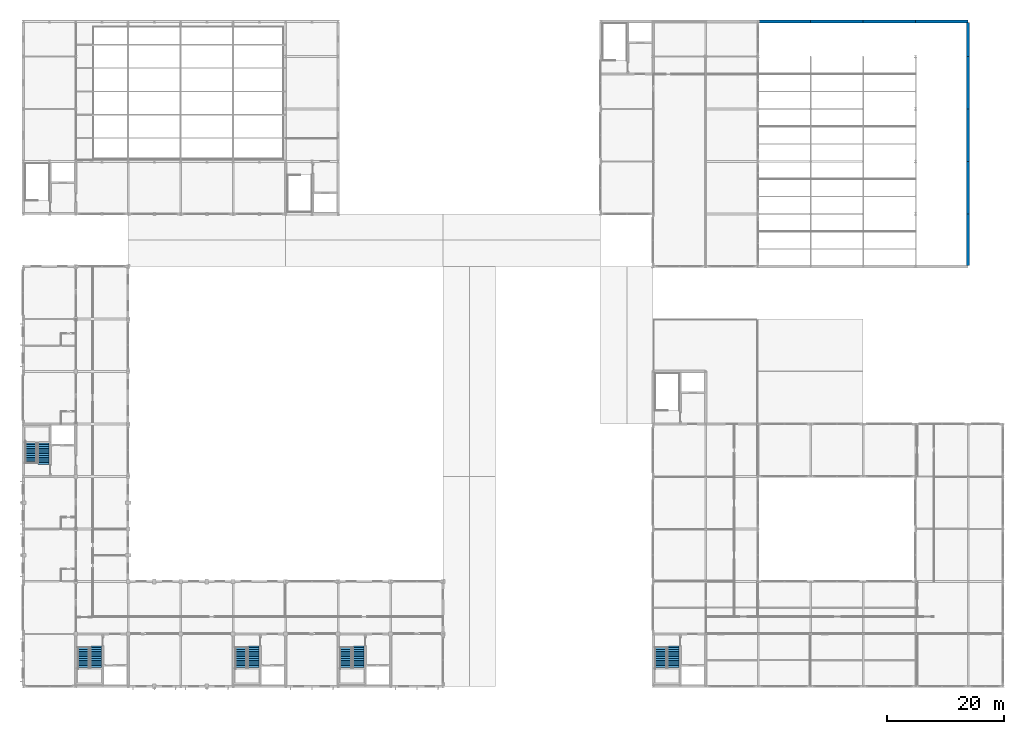
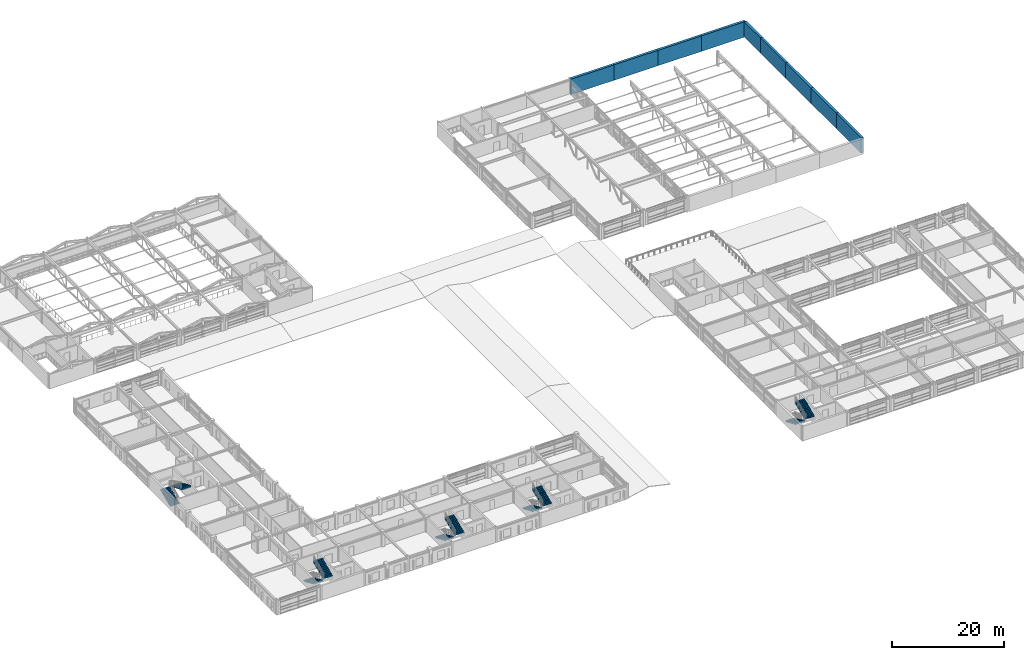
# One storey, part 80 of 91: 10 stair flights, 9 walls, 5 elements without a shape of their own.
"""IFC4 building model written with IfcOpenShell, lengths in metres."""

from ifc_helpers import new_model, si_unit, direction, frame, frame_2d, origin, place, context, subcontext, project, spatial, polyline, rectangle, outline, extrude, material, layer, layer_set, type_object, element, aggregate, save


model = new_model("IFC4")

# Units and contexts
model_context = context("Model", 3, precision=1e-05, world=origin(), true_north=direction((0.0, 1.0)))
body_context = subcontext(model_context, "Body", "Model", "MODEL_VIEW")
ifc_project = project(units=[si_unit("LENGTHUNIT", "METRE"), si_unit("AREAUNIT", "SQUARE_METRE"), si_unit("VOLUMEUNIT", "CUBIC_METRE"), si_unit("PLANEANGLEUNIT", "RADIAN"), si_unit("MASSUNIT", "GRAM", prefix="KILO")], contexts=[model_context])

# Site, building, storey
site_placement = place(None, origin())
site = spatial("IfcSite", under=ifc_project, at=site_placement, CompositionType="ELEMENT")
building_placement = place(site_placement, origin())
building = spatial("IfcBuilding", under=site, at=building_placement, Name="Palais des Congres Ocreval", CompositionType="ELEMENT")
storey_placement = place(building_placement, frame((0.0, 0.0, 8.159912109375)))
storey = spatial("IfcBuildingStorey", under=building, at=storey_placement, Name="L02", CompositionType="ELEMENT", Elevation=8.159912109375)

# Walls
ifc_material = material(Name="Concrete C40/50", Category="concrete")
ifc_layer = layer(ifc_material, 0.5)
ifc_layer_set = layer_set([ifc_layer], Name="Acoustic Ballroom Wall 500 Concrete C40/50")
wall_type = type_object("IfcWallType", Name="Acoustic Ballroom Wall 500 Concrete C40/50", PredefinedType="SOLIDWALL", material=ifc_layer_set)
wall_1_placement = place(storey_placement, frame((162.0, 72.199951171875, -0.239990234375), z_axis=(0.0, 0.0, 1.0), x_axis=(0.0, 1.0, 0.0)))
element("IfcWall", 1, at=wall_1_placement, inside=storey, type_object=wall_type, Name="Ballroom Upper Acoustic Cladding Wall EW01 L02-E1", PredefinedType="SOLIDWALL", context=body_context, shape_type="SweptSolid", body=[
    extrude(rectangle(XDim=8.800048828125, YDim=0.5, at=frame_2d((4.39990234375, 0.0))), origin(), (0.0, 0.0, 1.0), 3.35009765625),
])
for number, where, z_axis, x_axis, name in (
    (2, (162.0, 81.0, -0.239990234375), (0.0, 0.0, 1.0), (0.0, 1.0, 0.0), "Ballroom Upper Acoustic Cladding Wall EW01 L02-E2"),
    (3, (162.0, 90.0, -0.239990234375), (0.0, 0.0, 1.0), (0.0, 1.0, 0.0), "Ballroom Upper Acoustic Cladding Wall EW01 L02-E3"),
    (4, (162.0, 99.0, -0.239990234375), (0.0, 0.0, 1.0), (0.0, 1.0, 0.0), "Ballroom Upper Acoustic Cladding Wall EW01 L02-E4"),
):
    element("IfcWall", number, at=place(storey_placement, frame(where, z_axis=z_axis, x_axis=x_axis)), inside=storey, type_object=wall_type, Name=name, PredefinedType="SOLIDWALL", context=body_context, shape_type="SweptSolid", body=[
        extrude(rectangle(XDim=9.0, YDim=0.5, at=frame_2d((4.5, 0.0))), origin(), (0.0, 0.0, 1.0), 3.35009765625),
    ])
wall_2_placement = place(storey_placement, frame((162.0, 108.0, -0.239990234375), z_axis=(0.0, 0.0, 1.0), x_axis=(0.0, 1.0, 0.0)))
element("IfcWall", 5, at=wall_2_placement, inside=storey, type_object=wall_type, Name="Ballroom Upper Acoustic Cladding Wall EW01 L02-E5", PredefinedType="SOLIDWALL", context=body_context, shape_type="SweptSolid", body=[
    extrude(rectangle(XDim=5.800048828125, YDim=0.5, at=frame_2d((2.89990234375, 0.0))), origin(), (0.0, 0.0, 1.0), 3.35009765625),
])
wall_3_placement = place(storey_placement, frame((126.199951171875, 114.0, -0.239990234375), z_axis=(0.0, 0.0, 1.0), x_axis=(1.0, 0.0, 0.0)))
element("IfcWall", 6, at=wall_3_placement, inside=storey, type_object=wall_type, Name="Ballroom Upper Acoustic Cladding Wall EW01 L02-N1", PredefinedType="SOLIDWALL", context=body_context, shape_type="SweptSolid", body=[
    extrude(rectangle(XDim=8.800048828125, YDim=0.5, at=frame_2d((4.39990234375, 0.0))), origin(), (0.0, 0.0, 1.0), 3.35009765625),
])
for number, where, z_axis, x_axis, name in (
    (7, (135.0, 114.0, -0.239990234375), (0.0, 0.0, 1.0), (1.0, 0.0, 0.0), "Ballroom Upper Acoustic Cladding Wall EW01 L02-N2"),
    (8, (144.0, 114.0, -0.239990234375), (0.0, 0.0, 1.0), (1.0, 0.0, 0.0), "Ballroom Upper Acoustic Cladding Wall EW01 L02-N3"),
    (9, (153.0, 114.0, -0.239990234375), (0.0, 0.0, 1.0), (1.0, 0.0, 0.0), "Ballroom Upper Acoustic Cladding Wall EW01 L02-N4"),
):
    element("IfcWall", number, at=place(storey_placement, frame(where, z_axis=z_axis, x_axis=x_axis)), inside=storey, type_object=wall_type, Name=name, PredefinedType="SOLIDWALL", context=body_context, shape_type="SweptSolid", body=[
        extrude(rectangle(XDim=9.0, YDim=0.5, at=frame_2d((4.5, 0.0))), origin(), (0.0, 0.0, 1.0), 3.35009765625),
    ])

# Stair, stair flights
stair_type_1 = type_object("IfcStairType", Name="Commission Core Stair 1950 Concrete C40/50", PredefinedType="HALF_TURN_STAIR", material=ifc_material)
stair_1_placement = place(storey_placement, origin())
stair_1 = element("IfcStair", 10, at=stair_1_placement, inside=storey, type_object=stair_type_1, Name="Protected Core Stair ST09 L02", PredefinedType="HALF_TURN_STAIR")
stair_flight_type_1 = type_object("IfcStairFlightType", Name="Commission Stair Flight W1950 Concrete C40/50", PredefinedType="STRAIGHT", material=ifc_material)
stair_flight_1_placement = place(storey_placement, frame((109.344970703125, 6.64990234375, 0.0), z_axis=(0.0, 0.0, 1.0), x_axis=(0.0, -1.0, 0.0)))
stair_flight_1 = element("IfcStairFlight", 11, at=stair_flight_1_placement, type_object=stair_flight_type_1, Name="Stair ST09 L02 Flight 1", NumberOfRisers=12, NumberOfTreads=11, PredefinedType="STRAIGHT", RiserHeight=0.14, TreadLength=0.31, context=body_context, shape_type="SweptSolid", body=[
    extrude(outline(polyline([(-0.006103515625, 0.0), (-0.006103515625, 0.070068359375), (0.0, 0.139892578125), (0.31005859375, 0.139892578125), (0.31005859375, 0.280029296875), (0.6201171875, 0.280029296875), (0.6201171875, 0.419921875), (0.929931640625, 0.419921875), (0.929931640625, 0.56005859375), (1.239990234375, 0.56005859375), (1.239990234375, 0.699951171875), (1.550048828125, 0.699951171875), (1.550048828125, 0.840087890625), (1.860107421875, 0.840087890625), (1.860107421875, 0.97998046875), (2.169921875, 0.97998046875), (2.169921875, 1.1201171875), (2.47998046875, 1.1201171875), (2.47998046875, 1.260009765625), (2.7900390625, 1.260009765625), (2.7900390625, 1.39990234375), (3.10009765625, 1.39990234375), (3.10009765625, 1.5400390625), (3.409912109375, 1.5400390625), (3.409912109375, 1.679931640625), (3.570068359375, 1.679931640625), (3.570068359375, 1.364501953125), (0.388427734375, 0.0), (-0.006103515625, 0.0)])), frame((0.0, 0.97509765625, 0.0), z_axis=(0.0, -1.0, 0.0), x_axis=(1.0, 0.0, 0.0)), (0.0, 0.0, 1.0), 1.949951171875),
])
stair_flight_2_placement = place(storey_placement, frame((111.455078125, 3.239990234375, 1.68017578125), z_axis=(0.0, 0.0, 1.0), x_axis=(0.0, 1.0, 0.0)))
stair_flight_2 = element("IfcStairFlight", 12, at=stair_flight_2_placement, type_object=stair_flight_type_1, Name="Stair ST09 L02 Flight 2", NumberOfRisers=12, NumberOfTreads=11, PredefinedType="STRAIGHT", RiserHeight=0.14, TreadLength=0.31, context=body_context, shape_type="SweptSolid", body=[
    extrude(outline(polyline([(-0.006103515625, 0.0), (-0.006103515625, 0.070068359375), (0.0, 0.139892578125), (0.31005859375, 0.139892578125), (0.31005859375, 0.280029296875), (0.6201171875, 0.280029296875), (0.6201171875, 0.419921875), (0.929931640625, 0.419921875), (0.929931640625, 0.56005859375), (1.239990234375, 0.56005859375), (1.239990234375, 0.699951171875), (1.550048828125, 0.699951171875), (1.550048828125, 0.840087890625), (1.860107421875, 0.840087890625), (1.860107421875, 0.97998046875), (2.169921875, 0.97998046875), (2.169921875, 1.1201171875), (2.47998046875, 1.1201171875), (2.47998046875, 1.260009765625), (2.7900390625, 1.260009765625), (2.7900390625, 1.39990234375), (3.10009765625, 1.39990234375), (3.10009765625, 1.5400390625), (3.409912109375, 1.5400390625), (3.409912109375, 1.679931640625), (3.719970703125, 1.679931640625), (3.719970703125, 1.364501953125), (0.388427734375, 0.0), (-0.006103515625, 0.0)])), frame((0.0, 0.97509765625, 0.0), z_axis=(0.0, -1.0, 0.0), x_axis=(1.0, 0.0, 0.0)), (0.0, 0.0, 1.0), 1.949951171875),
])
aggregate(stair_1, [stair_flight_1, stair_flight_2])

stair_type_2 = type_object("IfcStairType", Name="Protected Transfer Stair L02 1900 Concrete C40/50", PredefinedType="HALF_TURN_STAIR", material=ifc_material)
stair_2_placement = place(storey_placement, origin())
stair_2 = element("IfcStair", 13, at=stair_2_placement, inside=storey, type_object=stair_type_2, Name="Protected Core Stair ST01 L02", PredefinedType="HALF_TURN_STAIR")
stair_flight_type_2 = type_object("IfcStairFlightType", Name="Core Stair Flight 12R x 140/310 W1900 Concrete C40/50", PredefinedType="STRAIGHT", material=ifc_material)
stair_flight_3_placement = place(storey_placement, frame((10.320068359375, 6.64990234375, 0.0), z_axis=(0.0, 0.0, 1.0), x_axis=(0.0, -1.0, 0.0)))
stair_flight_3 = element("IfcStairFlight", 14, at=stair_flight_3_placement, type_object=stair_flight_type_2, Name="Stair ST01 L02 Flight 1", NumberOfRisers=12, NumberOfTreads=11, PredefinedType="STRAIGHT", RiserHeight=0.14, TreadLength=0.31, context=body_context, shape_type="SweptSolid", body=[
    extrude(outline(polyline([(-0.006103515625, 0.0), (-0.006103515625, 0.070068359375), (0.0, 0.139892578125), (0.31005859375, 0.139892578125), (0.31005859375, 0.280029296875), (0.6201171875, 0.280029296875), (0.6201171875, 0.419921875), (0.929931640625, 0.419921875), (0.929931640625, 0.56005859375), (1.239990234375, 0.56005859375), (1.239990234375, 0.699951171875), (1.550048828125, 0.699951171875), (1.550048828125, 0.840087890625), (1.860107421875, 0.840087890625), (1.860107421875, 0.97998046875), (2.169921875, 0.97998046875), (2.169921875, 1.1201171875), (2.47998046875, 1.1201171875), (2.47998046875, 1.260009765625), (2.7900390625, 1.260009765625), (2.7900390625, 1.39990234375), (3.10009765625, 1.39990234375), (3.10009765625, 1.5400390625), (3.409912109375, 1.5400390625), (3.409912109375, 1.679931640625), (3.570068359375, 1.679931640625), (3.570068359375, 1.364501953125), (0.388427734375, 0.0), (-0.006103515625, 0.0)])), frame((0.0, 0.949951171875, 0.0), z_axis=(0.0, -1.0, 0.0), x_axis=(1.0, 0.0, 0.0)), (0.0, 0.0, 1.0), 1.89990234375),
])
stair_flight_4_placement = place(storey_placement, frame((12.47998046875, 3.239990234375, 1.68017578125), z_axis=(0.0, 0.0, 1.0), x_axis=(0.0, 1.0, 0.0)))
stair_flight_4 = element("IfcStairFlight", 15, at=stair_flight_4_placement, type_object=stair_flight_type_2, Name="Stair ST01 L02 Flight 2", NumberOfRisers=12, NumberOfTreads=11, PredefinedType="STRAIGHT", RiserHeight=0.14, TreadLength=0.31, context=body_context, shape_type="SweptSolid", body=[
    extrude(outline(polyline([(-0.006103515625, 0.0), (-0.006103515625, 0.070068359375), (0.0, 0.139892578125), (0.31005859375, 0.139892578125), (0.31005859375, 0.280029296875), (0.6201171875, 0.280029296875), (0.6201171875, 0.419921875), (0.929931640625, 0.419921875), (0.929931640625, 0.56005859375), (1.239990234375, 0.56005859375), (1.239990234375, 0.699951171875), (1.550048828125, 0.699951171875), (1.550048828125, 0.840087890625), (1.860107421875, 0.840087890625), (1.860107421875, 0.97998046875), (2.169921875, 0.97998046875), (2.169921875, 1.1201171875), (2.47998046875, 1.1201171875), (2.47998046875, 1.260009765625), (2.7900390625, 1.260009765625), (2.7900390625, 1.39990234375), (3.10009765625, 1.39990234375), (3.10009765625, 1.5400390625), (3.409912109375, 1.5400390625), (3.409912109375, 1.679931640625), (3.719970703125, 1.679931640625), (3.719970703125, 1.364501953125), (0.388427734375, 0.0), (-0.006103515625, 0.0)])), frame((0.0, 0.949951171875, 0.0), z_axis=(0.0, -1.0, 0.0), x_axis=(1.0, 0.0, 0.0)), (0.0, 0.0, 1.0), 1.89990234375),
])
aggregate(stair_2, [stair_flight_3, stair_flight_4])

stair_3_placement = place(storey_placement, origin())
stair_3 = element("IfcStair", 16, at=stair_3_placement, inside=storey, type_object=stair_type_2, Name="Protected Core Stair ST02 L02", PredefinedType="HALF_TURN_STAIR")
stair_flight_5_placement = place(storey_placement, frame((37.320068359375, 6.64990234375, 0.0), z_axis=(0.0, 0.0, 1.0), x_axis=(0.0, -1.0, 0.0)))
stair_flight_5 = element("IfcStairFlight", 17, at=stair_flight_5_placement, type_object=stair_flight_type_2, Name="Stair ST02 L02 Flight 1", NumberOfRisers=12, NumberOfTreads=11, PredefinedType="STRAIGHT", RiserHeight=0.14, TreadLength=0.31, context=body_context, shape_type="SweptSolid", body=[
    extrude(outline(polyline([(-0.006103515625, 0.0), (-0.006103515625, 0.070068359375), (0.0, 0.139892578125), (0.31005859375, 0.139892578125), (0.31005859375, 0.280029296875), (0.6201171875, 0.280029296875), (0.6201171875, 0.419921875), (0.929931640625, 0.419921875), (0.929931640625, 0.56005859375), (1.239990234375, 0.56005859375), (1.239990234375, 0.699951171875), (1.550048828125, 0.699951171875), (1.550048828125, 0.840087890625), (1.860107421875, 0.840087890625), (1.860107421875, 0.97998046875), (2.169921875, 0.97998046875), (2.169921875, 1.1201171875), (2.47998046875, 1.1201171875), (2.47998046875, 1.260009765625), (2.7900390625, 1.260009765625), (2.7900390625, 1.39990234375), (3.10009765625, 1.39990234375), (3.10009765625, 1.5400390625), (3.409912109375, 1.5400390625), (3.409912109375, 1.679931640625), (3.570068359375, 1.679931640625), (3.570068359375, 1.364501953125), (0.388427734375, 0.0), (-0.006103515625, 0.0)])), frame((0.0, 0.949951171875, 0.0), z_axis=(0.0, -1.0, 0.0), x_axis=(1.0, 0.0, 0.0)), (0.0, 0.0, 1.0), 1.89990234375),
])
stair_flight_6_placement = place(storey_placement, frame((39.47998046875, 3.239990234375, 1.68017578125), z_axis=(0.0, 0.0, 1.0), x_axis=(0.0, 1.0, 0.0)))
stair_flight_6 = element("IfcStairFlight", 18, at=stair_flight_6_placement, type_object=stair_flight_type_2, Name="Stair ST02 L02 Flight 2", NumberOfRisers=12, NumberOfTreads=11, PredefinedType="STRAIGHT", RiserHeight=0.14, TreadLength=0.31, context=body_context, shape_type="SweptSolid", body=[
    extrude(outline(polyline([(-0.006103515625, 0.0), (-0.006103515625, 0.070068359375), (0.0, 0.139892578125), (0.31005859375, 0.139892578125), (0.31005859375, 0.280029296875), (0.6201171875, 0.280029296875), (0.6201171875, 0.419921875), (0.929931640625, 0.419921875), (0.929931640625, 0.56005859375), (1.239990234375, 0.56005859375), (1.239990234375, 0.699951171875), (1.550048828125, 0.699951171875), (1.550048828125, 0.840087890625), (1.860107421875, 0.840087890625), (1.860107421875, 0.97998046875), (2.169921875, 0.97998046875), (2.169921875, 1.1201171875), (2.47998046875, 1.1201171875), (2.47998046875, 1.260009765625), (2.7900390625, 1.260009765625), (2.7900390625, 1.39990234375), (3.10009765625, 1.39990234375), (3.10009765625, 1.5400390625), (3.409912109375, 1.5400390625), (3.409912109375, 1.679931640625), (3.719970703125, 1.679931640625), (3.719970703125, 1.364501953125), (0.388427734375, 0.0), (-0.006103515625, 0.0)])), frame((0.0, 0.949951171875, 0.0), z_axis=(0.0, -1.0, 0.0), x_axis=(1.0, 0.0, 0.0)), (0.0, 0.0, 1.0), 1.89990234375),
])
aggregate(stair_3, [stair_flight_5, stair_flight_6])

stair_4_placement = place(storey_placement, origin())
stair_4 = element("IfcStair", 19, at=stair_4_placement, inside=storey, type_object=stair_type_2, Name="Protected Core Stair ST03 L02", PredefinedType="HALF_TURN_STAIR")
stair_flight_7_placement = place(storey_placement, frame((1.320068359375, 38.35009765625, 0.0), z_axis=(0.0, 0.0, 1.0), x_axis=(0.0, 1.0, 0.0)))
stair_flight_7 = element("IfcStairFlight", 20, at=stair_flight_7_placement, type_object=stair_flight_type_2, Name="Stair ST03 L02 Flight 1", NumberOfRisers=12, NumberOfTreads=11, PredefinedType="STRAIGHT", RiserHeight=0.14, TreadLength=0.31, context=body_context, shape_type="SweptSolid", body=[
    extrude(outline(polyline([(-0.006103515625, 0.0), (-0.006103515625, 0.070068359375), (0.0, 0.139892578125), (0.31005859375, 0.139892578125), (0.31005859375, 0.280029296875), (0.6201171875, 0.280029296875), (0.6201171875, 0.419921875), (0.929931640625, 0.419921875), (0.929931640625, 0.56005859375), (1.239990234375, 0.56005859375), (1.239990234375, 0.699951171875), (1.550048828125, 0.699951171875), (1.550048828125, 0.840087890625), (1.860107421875, 0.840087890625), (1.860107421875, 0.97998046875), (2.169921875, 0.97998046875), (2.169921875, 1.1201171875), (2.47998046875, 1.1201171875), (2.47998046875, 1.260009765625), (2.7900390625, 1.260009765625), (2.7900390625, 1.39990234375), (3.10009765625, 1.39990234375), (3.10009765625, 1.5400390625), (3.409912109375, 1.5400390625), (3.409912109375, 1.679931640625), (3.570068359375, 1.679931640625), (3.570068359375, 1.364501953125), (0.388427734375, 0.0), (-0.006103515625, 0.0)])), frame((0.0, 0.949951171875, 0.0), z_axis=(0.0, -1.0, 0.0), x_axis=(1.0, 0.0, 0.0)), (0.0, 0.0, 1.0), 1.89990234375),
])
stair_flight_8_placement = place(storey_placement, frame((3.47998046875, 41.760009765625, 1.68017578125), z_axis=(0.0, 0.0, 1.0), x_axis=(0.0, -1.0, 0.0)))
stair_flight_8 = element("IfcStairFlight", 21, at=stair_flight_8_placement, type_object=stair_flight_type_2, Name="Stair ST03 L02 Flight 2", NumberOfRisers=12, NumberOfTreads=11, PredefinedType="STRAIGHT", RiserHeight=0.14, TreadLength=0.31, context=body_context, shape_type="SweptSolid", body=[
    extrude(outline(polyline([(-0.006103515625, 0.0), (-0.006103515625, 0.070068359375), (0.0, 0.139892578125), (0.31005859375, 0.139892578125), (0.31005859375, 0.280029296875), (0.6201171875, 0.280029296875), (0.6201171875, 0.419921875), (0.929931640625, 0.419921875), (0.929931640625, 0.56005859375), (1.239990234375, 0.56005859375), (1.239990234375, 0.699951171875), (1.550048828125, 0.699951171875), (1.550048828125, 0.840087890625), (1.860107421875, 0.840087890625), (1.860107421875, 0.97998046875), (2.169921875, 0.97998046875), (2.169921875, 1.1201171875), (2.47998046875, 1.1201171875), (2.47998046875, 1.260009765625), (2.7900390625, 1.260009765625), (2.7900390625, 1.39990234375), (3.10009765625, 1.39990234375), (3.10009765625, 1.5400390625), (3.409912109375, 1.5400390625), (3.409912109375, 1.679931640625), (3.719970703125, 1.679931640625), (3.719970703125, 1.364501953125), (0.388427734375, 0.0), (-0.006103515625, 0.0)])), frame((0.0, 0.949951171875, 0.0), z_axis=(0.0, -1.0, 0.0), x_axis=(1.0, 0.0, 0.0)), (0.0, 0.0, 1.0), 1.89990234375),
])
aggregate(stair_4, [stair_flight_7, stair_flight_8])

stair_5_placement = place(storey_placement, origin())
stair_5 = element("IfcStair", 22, at=stair_5_placement, inside=storey, type_object=stair_type_2, Name="Protected Core Stair ST04 L02", PredefinedType="HALF_TURN_STAIR")
stair_flight_9_placement = place(storey_placement, frame((55.320068359375, 6.64990234375, 0.0), z_axis=(0.0, 0.0, 1.0), x_axis=(0.0, -1.0, 0.0)))
stair_flight_9 = element("IfcStairFlight", 23, at=stair_flight_9_placement, type_object=stair_flight_type_2, Name="Stair ST04 L02 Flight 1", NumberOfRisers=12, NumberOfTreads=11, PredefinedType="STRAIGHT", RiserHeight=0.14, TreadLength=0.31, context=body_context, shape_type="SweptSolid", body=[
    extrude(outline(polyline([(-0.006103515625, 0.0), (-0.006103515625, 0.070068359375), (0.0, 0.139892578125), (0.31005859375, 0.139892578125), (0.31005859375, 0.280029296875), (0.6201171875, 0.280029296875), (0.6201171875, 0.419921875), (0.929931640625, 0.419921875), (0.929931640625, 0.56005859375), (1.239990234375, 0.56005859375), (1.239990234375, 0.699951171875), (1.550048828125, 0.699951171875), (1.550048828125, 0.840087890625), (1.860107421875, 0.840087890625), (1.860107421875, 0.97998046875), (2.169921875, 0.97998046875), (2.169921875, 1.1201171875), (2.47998046875, 1.1201171875), (2.47998046875, 1.260009765625), (2.7900390625, 1.260009765625), (2.7900390625, 1.39990234375), (3.10009765625, 1.39990234375), (3.10009765625, 1.5400390625), (3.409912109375, 1.5400390625), (3.409912109375, 1.679931640625), (3.570068359375, 1.679931640625), (3.570068359375, 1.364501953125), (0.388427734375, 0.0), (-0.006103515625, 0.0)])), frame((0.0, 0.949951171875, 0.0), z_axis=(0.0, -1.0, 0.0), x_axis=(1.0, 0.0, 0.0)), (0.0, 0.0, 1.0), 1.89990234375),
])
stair_flight_10_placement = place(storey_placement, frame((57.47998046875, 3.239990234375, 1.68017578125), z_axis=(0.0, 0.0, 1.0), x_axis=(0.0, 1.0, 0.0)))
stair_flight_10 = element("IfcStairFlight", 24, at=stair_flight_10_placement, type_object=stair_flight_type_2, Name="Stair ST04 L02 Flight 2", NumberOfRisers=12, NumberOfTreads=11, PredefinedType="STRAIGHT", RiserHeight=0.14, TreadLength=0.31, context=body_context, shape_type="SweptSolid", body=[
    extrude(outline(polyline([(-0.006103515625, 0.0), (-0.006103515625, 0.070068359375), (0.0, 0.139892578125), (0.31005859375, 0.139892578125), (0.31005859375, 0.280029296875), (0.6201171875, 0.280029296875), (0.6201171875, 0.419921875), (0.929931640625, 0.419921875), (0.929931640625, 0.56005859375), (1.239990234375, 0.56005859375), (1.239990234375, 0.699951171875), (1.550048828125, 0.699951171875), (1.550048828125, 0.840087890625), (1.860107421875, 0.840087890625), (1.860107421875, 0.97998046875), (2.169921875, 0.97998046875), (2.169921875, 1.1201171875), (2.47998046875, 1.1201171875), (2.47998046875, 1.260009765625), (2.7900390625, 1.260009765625), (2.7900390625, 1.39990234375), (3.10009765625, 1.39990234375), (3.10009765625, 1.5400390625), (3.409912109375, 1.5400390625), (3.409912109375, 1.679931640625), (3.719970703125, 1.679931640625), (3.719970703125, 1.364501953125), (0.388427734375, 0.0), (-0.006103515625, 0.0)])), frame((0.0, 0.949951171875, 0.0), z_axis=(0.0, -1.0, 0.0), x_axis=(1.0, 0.0, 0.0)), (0.0, 0.0, 1.0), 1.89990234375),
])
aggregate(stair_5, [stair_flight_9, stair_flight_10])

save(model, "model.ifc")
